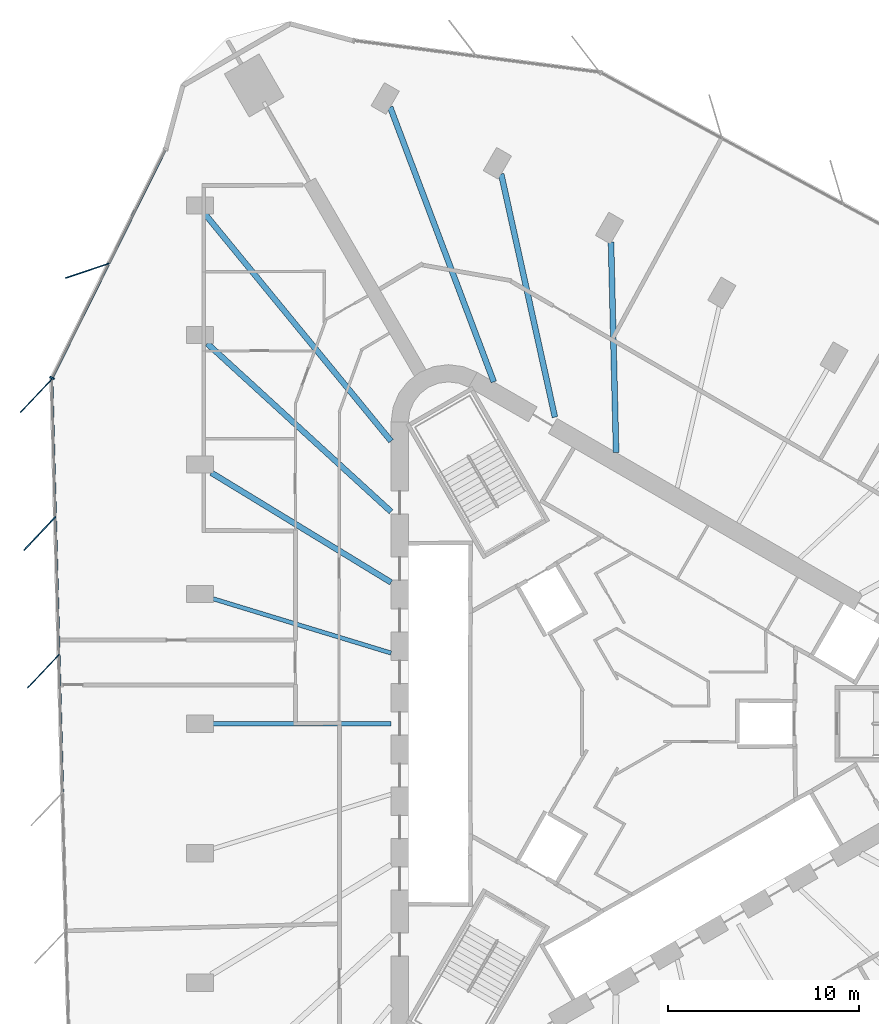
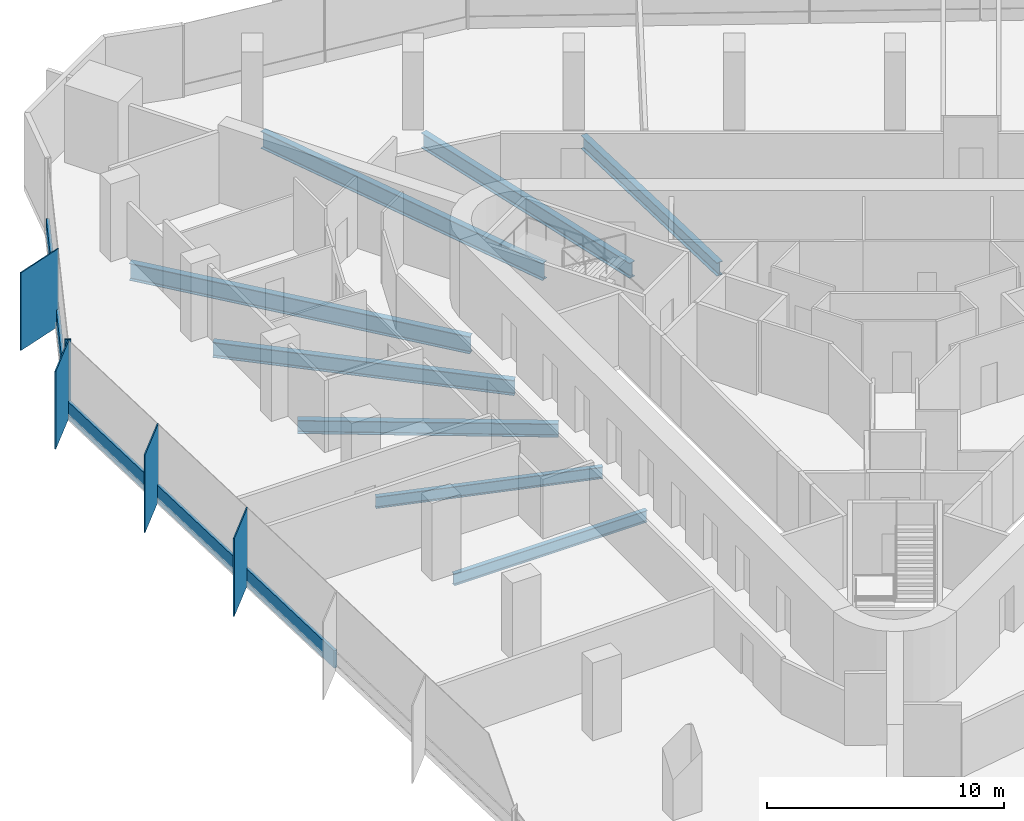
# One storey, part 4 of 14: 10 members, 8 beams, 2 elements without a shape of their own.
"""IFC4 building model written with IfcOpenShell, lengths in metres."""

import ifcopenshell
import ifcopenshell.guid

model = None  # the IFC model being written
_history = None  # IfcOwnerHistory: only IFC2X3 demands one
_inside = {}  # id of a spatial element -> (the spatial element, [elements in it])
_under = {}  # id of a project, library or spatial element -> (it, [spatial elements below it])
_declared = {}  # id of a project -> (the project, [libraries it declares])
_typed = {}  # id of a type object -> (the type object, [elements of that type])
_made_of = {}  # id of a material, layer set ... -> (it, [elements and type objects made of it])


def new_model(schema):
    """Start an empty IFC model of exactly this schema.

    Asked for "IFC4X3", IfcOpenShell would pick the latest addendum, in which some entities
    have other attributes; the version numbers below select the first issue.
    IFC2X3 requires an IfcOwnerHistory on every rooted entity: one is made here for all.
    """
    global model, _history
    if schema == "IFC4X3":
        model = ifcopenshell.file(schema_version=(4, 3, 0, 0))
    else:
        model = ifcopenshell.file(schema=schema)
    _inside.clear()
    _under.clear()
    _declared.clear()
    _typed.clear()
    _made_of.clear()
    _history = None
    if model.schema == "IFC2X3":
        org = make("IfcOrganization", Name="unknown")
        user = make(
            "IfcPersonAndOrganization",
            ThePerson=make("IfcPerson", FamilyName="unknown"),
            TheOrganization=org,
        )
        app = make(
            "IfcApplication",
            ApplicationDeveloper=org,
            Version="unknown",
            ApplicationFullName="unknown",
            ApplicationIdentifier="unknown",
        )
        _history = make(
            "IfcOwnerHistory",
            OwningUser=user,
            OwningApplication=app,
            ChangeAction="ADDED",
            CreationDate=0,
        )
    return model


def make(cls, **values):
    """One entity of the class cls with the attributes given. An attribute that is None is left unset."""
    return model.create_entity(
        cls, **{name: value for name, value in values.items() if value is not None}
    )


def rooted(cls, **values):
    """An entity with a GlobalId (a new one), such as an element, a storey or a relation."""
    return make(cls, GlobalId=ifcopenshell.guid.new(), OwnerHistory=_history, **values)


def si_unit(unit_type, name, prefix=None):
    """IfcSIUnit, for example si_unit("LENGTHUNIT", "METRE", prefix="MILLI")."""
    return make("IfcSIUnit", UnitType=unit_type, Prefix=prefix, Name=name)


def assignment(units):
    """IfcUnitAssignment: the units of a project."""
    return None if units is None else make("IfcUnitAssignment", Units=units)


def point(xyz):
    """IfcCartesianPoint."""
    return None if xyz is None else make("IfcCartesianPoint", Coordinates=xyz)


def direction(xyz):
    """IfcDirection."""
    return None if xyz is None else make("IfcDirection", DirectionRatios=xyz)


def frame(location, z_axis=None, x_axis=None):
    """IfcAxis2Placement3D, a coordinate frame: its origin and axes. An axis left out is left unset."""
    return make(
        "IfcAxis2Placement3D",
        Location=point(location),
        Axis=direction(z_axis),
        RefDirection=direction(x_axis),
    )


def frame_2d(location, x_axis=None):
    """IfcAxis2Placement2D, a coordinate frame in the plane: its origin and x axis."""
    return make(
        "IfcAxis2Placement2D", Location=point(location), RefDirection=direction(x_axis)
    )


def origin():
    """The frame at (0, 0, 0) with its axes left unset."""
    return frame((0.0, 0.0, 0.0))


def origin_2d():
    """The frame at (0, 0) in the plane with its x axis left unset."""
    return frame_2d((0.0, 0.0))


def place(relative_to, where):
    """IfcLocalPlacement: puts the frame where relative to a parent placement (None: the world)."""
    return make(
        "IfcLocalPlacement", PlacementRelTo=relative_to, RelativePlacement=where
    )


def context(
    kind, dimensions, precision=None, world=None, true_north=None, identifier=None
):
    """IfcGeometricRepresentationContext, for example the 3D "Model" context."""
    return make(
        "IfcGeometricRepresentationContext",
        ContextIdentifier=identifier,
        ContextType=kind,
        CoordinateSpaceDimension=dimensions,
        Precision=precision,
        WorldCoordinateSystem=world,
        TrueNorth=true_north,
    )


def subcontext(parent, identifier, kind, view, scale=None):
    """IfcGeometricRepresentationSubContext, for example "Body" below "Model"."""
    return make(
        "IfcGeometricRepresentationSubContext",
        ContextIdentifier=identifier,
        ContextType=kind,
        ParentContext=parent,
        TargetScale=scale,
        TargetView=view,
    )


def project(units=None, contexts=None):
    """IfcProject with its units and contexts."""
    return rooted(
        "IfcProject",
        Name="project",
        RepresentationContexts=contexts,
        UnitsInContext=assignment(units),
    )


def spatial(cls, under=None, at=None, **own):
    """A site, building, storey or space (cls), placed at a placement, below another one or the project."""
    s = rooted(cls, ObjectPlacement=at, **own)
    if under is not None:
        _under.setdefault(under.id(), (under, []))[1].append(s)
    return s


def profile(cls, at=None, kind="AREA", **sizes):
    """A parametric profile (cls). Its sizes go by their IFC names, for example OverallWidth=200.0."""
    return make(cls, ProfileType=kind, Position=at, **sizes)


def rectangle(**sizes):
    """IfcRectangleProfileDef."""
    return profile("IfcRectangleProfileDef", **sizes)


def i_section(**sizes):
    """IfcIShapeProfileDef."""
    return profile("IfcIShapeProfileDef", **sizes)


def extrude(swept, where, along, depth):
    """IfcExtrudedAreaSolid: the profile swept, set in the frame where, extruded along a direction by depth."""
    return make(
        "IfcExtrudedAreaSolid",
        SweptArea=swept,
        Position=where,
        ExtrudedDirection=direction(along),
        Depth=depth,
    )


def shape(context_of_items, identifier, shape_type, items):
    """IfcShapeRepresentation: the items that make up one representation, for example the "Body"."""
    return make(
        "IfcShapeRepresentation",
        ContextOfItems=context_of_items,
        RepresentationIdentifier=identifier,
        RepresentationType=shape_type,
        Items=items,
    )


def material(Name=None, Category=None):
    """IfcMaterial."""
    return make("IfcMaterial", Name=Name, Category=Category)


def material_profile(
    of_material, cross_section, Name=None, Category=None, Priority=None
):
    """IfcMaterialProfile: a cross section and its material."""
    return make(
        "IfcMaterialProfile",
        Name=Name,
        Material=of_material,
        Profile=cross_section,
        Priority=Priority,
        Category=Category,
    )


def profile_set(profiles, Name=None, composite=None):
    """IfcMaterialProfileSet."""
    return make(
        "IfcMaterialProfileSet",
        Name=Name,
        MaterialProfiles=profiles,
        CompositeProfile=composite,
    )


def made_of(thing, what):
    """Note that an element or type object is made of a material, layer set ...; save() writes the relation."""
    if what is not None:
        _made_of.setdefault(what.id(), (what, []))[1].append(thing)
    return thing


def type_object(cls, material=None, **own):
    """A type object (cls), such as IfcWallType, which elements share."""
    return made_of(rooted(cls, **own), material)


def element(
    cls,
    number,
    at=None,
    inside=None,
    cuts=None,
    type_object=None,
    material=None,
    context=None,
    identifier="Body",
    shape_type=None,
    held_by="IfcProductDefinitionShape",
    body=None,
    shapes=None,
    **own,
):
    """One element of the class cls, such as IfcWall. Its Tag is "e" and its number.

    at: its placement. inside: the storey or other place that contains it. cuts: it is an
    opening in that element (IfcRelVoidsElement). A single representation is given by context,
    identifier, shape_type and body (its items); several are given by shapes. held_by: the class
    of the entity that holds the representations. save() writes the other relations.
    """
    e = rooted(cls, Tag="e%d" % number, ObjectPlacement=at, **own)
    if body is not None:
        shapes = [shape(context, identifier, shape_type, body)]
    if shapes is not None:
        e.Representation = make(held_by, Representations=shapes)
    if inside is not None:
        _inside.setdefault(inside.id(), (inside, []))[1].append(e)
    if cuts is not None:
        rooted(
            "IfcRelVoidsElement", RelatingBuildingElement=cuts, RelatedOpeningElement=e
        )
    if type_object is not None:
        _typed.setdefault(type_object.id(), (type_object, []))[1].append(e)
    return made_of(e, material)


def aggregate(whole, parts):
    """IfcRelAggregates: a whole, such as a stair, and the parts it consists of."""
    return rooted("IfcRelAggregates", RelatingObject=whole, RelatedObjects=parts)


def save(model, path):
    """Write the relations noted so far, then the file.

    IfcRelAggregates (storeys below a building ...), IfcRelContainedInSpatialStructure (elements
    in a storey), IfcRelDefinesByType, IfcRelAssociatesMaterial and IfcRelDeclares: one each for
    every whole, place, type object, material and project.
    """
    for whole, parts in _under.values():
        aggregate(whole, parts)
    for where, things in _inside.values():
        rooted(
            "IfcRelContainedInSpatialStructure",
            RelatedElements=things,
            RelatingStructure=where,
        )
    for kind, things in _typed.values():
        rooted("IfcRelDefinesByType", RelatedObjects=things, RelatingType=kind)
    for what, things in _made_of.values():
        rooted("IfcRelAssociatesMaterial", RelatedObjects=things, RelatingMaterial=what)
    for by, libraries in _declared.values():
        rooted("IfcRelDeclares", RelatingContext=by, RelatedDefinitions=libraries)
    model.write(path)


model = new_model("IFC4")

# Units and contexts
model_context = context("Model", 3, precision=1e-05, world=origin(), true_north=direction((0.0, 1.0)))
body_context = subcontext(model_context, "Body", "Model", "MODEL_VIEW")
ifc_project = project(units=[si_unit("LENGTHUNIT", "METRE"), si_unit("AREAUNIT", "SQUARE_METRE"), si_unit("VOLUMEUNIT", "CUBIC_METRE"), si_unit("PLANEANGLEUNIT", "RADIAN"), si_unit("MASSUNIT", "GRAM", prefix="KILO")], contexts=[model_context])

# Site, building, storey
site_placement = place(None, origin())
site = spatial("IfcSite", under=ifc_project, at=site_placement, CompositionType="ELEMENT")
building_placement = place(site_placement, origin())
building = spatial("IfcBuilding", under=site, at=building_placement, Name="Tanit Gate Tower", CompositionType="ELEMENT")
storey_placement = place(building_placement, frame((0.0, 0.0, 217.199951171875)))
storey = spatial("IfcBuildingStorey", under=building, at=storey_placement, Name="L48", CompositionType="ELEMENT", Elevation=217.199951171875)

# Curtain wall, member
ifc_material_1 = material(Name="Aluminium bronze anodised and glass", Category="aluminium")
curtain_wall_type = type_object("IfcCurtainWallType", Name="Curtain wall typical mid", PredefinedType="NOTDEFINED", material=ifc_material_1)
curtain_wall_1_placement = place(storey_placement, origin())
curtain_wall_1 = element("IfcCurtainWall", 1, at=curtain_wall_1_placement, inside=storey, type_object=curtain_wall_type, Name="Curtain wall L48 W1", PredefinedType="NOTDEFINED")
ifc_material_2 = material(Name="Aluminium bronze anodised", Category="aluminium")
ifc_material_profile_1 = material_profile(ifc_material_2, rectangle(XDim=2.39990234375, YDim=0.055908203125, at=origin_2d()), Name="56x2400 bronze fin mullion")
ifc_profile_set_1 = profile_set([ifc_material_profile_1], Name="Aluminium bronze anodised")
member_type_1 = type_object("IfcMemberType", Name="FIN MULLION 56x2400 bronze", PredefinedType="MULLION", material=ifc_profile_set_1)
member_1_placement = place(storey_placement, frame((-27.973876953125, 23.66748046875, -0.300048828125), z_axis=(0.0, 0.0, 1.0), x_axis=(0.947650540599, 0.319309337325, 0.0)))
member_1 = element("IfcMember", 2, at=member_1_placement, type_object=member_type_1, Name="Fin mullion L48 W1.2", PredefinedType="MULLION", context=body_context, shape_type="SweptSolid", body=[
    extrude(rectangle(XDim=2.39990234375, YDim=0.055908203125, at=origin_2d()), origin(), (0.0, 0.0, 1.0), 4.0),
])

# Curtain wall, members
curtain_wall_2_placement = place(storey_placement, origin())
curtain_wall_2 = element("IfcCurtainWall", 3, at=curtain_wall_2_placement, inside=storey, type_object=curtain_wall_type, Name="Curtain wall L48 W2", PredefinedType="NOTDEFINED")
member_2_placement = place(storey_placement, frame((-30.648681640625, 17.137451171875, -0.300048828125), z_axis=(0.0, 0.0, 1.0), x_axis=(0.688437603131, 0.725295571884, 0.0)))
member_2 = element("IfcMember", 4, at=member_2_placement, type_object=member_type_1, Name="Fin mullion L48 W2.1", PredefinedType="MULLION", context=body_context, shape_type="SweptSolid", body=[
    extrude(rectangle(XDim=2.39990234375, YDim=0.055908203125, at=origin_2d()), origin(), (0.0, 0.0, 1.0), 4.0),
])
member_3_placement = place(storey_placement, frame((-30.4609375, 9.940185546875, -0.300048828125), z_axis=(0.0, 0.0, 1.0), x_axis=(0.688437603131, 0.725295571884, 0.0)))
member_3 = element("IfcMember", 5, at=member_3_placement, type_object=member_type_1, Name="Fin mullion L48 W2.2", PredefinedType="MULLION", context=body_context, shape_type="SweptSolid", body=[
    extrude(rectangle(XDim=2.39990234375, YDim=0.055908203125, at=origin_2d()), origin(), (0.0, 0.0, 1.0), 4.0),
])
member_4_placement = place(storey_placement, frame((-30.2734375, 2.7431640625, -0.300048828125), z_axis=(0.0, 0.0, 1.0), x_axis=(0.688437603131, 0.725295571884, 0.0)))
member_4 = element("IfcMember", 6, at=member_4_placement, type_object=member_type_1, Name="Fin mullion L48 W2.3", PredefinedType="MULLION", context=body_context, shape_type="SweptSolid", body=[
    extrude(rectangle(XDim=2.39990234375, YDim=0.055908203125, at=origin_2d()), origin(), (0.0, 0.0, 1.0), 4.0),
])

# Member
ifc_material_3 = material(Name="Aluminium bronze anodised", Category="aluminium")
ifc_material_profile_2 = material_profile(ifc_material_3, rectangle(XDim=0.260009765625, YDim=0.080078125, at=origin_2d()), Name="80x260 bronze mullion")
ifc_profile_set_2 = profile_set([ifc_material_profile_2], Name="Aluminium bronze anodised")
member_type_2 = type_object("IfcMemberType", Name="Mullion 80x260 typical mid", PredefinedType="MULLION", material=ifc_profile_set_2)
member_5_placement = place(storey_placement, frame((-29.8203125, 18.068115234375, -0.300048828125), z_axis=(0.0, 0.0, 1.0), x_axis=(0.895875921171, -0.444304325734, 0.0)))
member_5 = element("IfcMember", 7, at=member_5_placement, type_object=member_type_2, Name="Mullion L48 W1.3", PredefinedType="MULLION", context=body_context, shape_type="SweptSolid", body=[
    extrude(rectangle(XDim=0.260009765625, YDim=0.080078125, at=origin_2d()), origin(), (0.0, 0.0, 1.0), 4.0),
])

# Beams
ifc_material_4 = material(Name="Steel S355", Category="steel")
ifc_material_profile_3 = material_profile(ifc_material_4, i_section(OverallWidth=0.300048828125, OverallDepth=0.68994140625, WebThickness=0.014404296875, FlangeThickness=0.027099609375, FilletRadius=0.027099609375, at=origin_2d()), Name="HEA 700")
ifc_profile_set_3 = profile_set([ifc_material_profile_3], Name="Steel S355")
beam_type_1 = type_object("IfcBeamType", Name="RADIAL GIRDER HEA 700 S355", PredefinedType="BEAM", material=ifc_profile_set_3)
for number, where, z_axis, x_axis, name in (
    (8, (-0.609375, 25.17431640625, -0.64501953125), (0.024202383749, -0.999707079409, 0.0), (0.999707079409, 0.024202383749, 0.0), "RADIAL GIRDER"),
    (9, (-21.4970703125, 13.114990234375, -0.64501953125), (0.853674218832, -0.520807380997, 0.0), (0.520807380997, 0.853674218832, 0.0), "RADIAL GIRDER"),
):
    element("IfcBeam", number, at=place(storey_placement, frame(where, z_axis=z_axis, x_axis=x_axis)), inside=storey, type_object=beam_type_1, Name=name, PredefinedType="BEAM", context=body_context, shape_type="SweptSolid", body=[
        extrude(i_section(OverallWidth=0.300048828125, OverallDepth=0.68994140625, WebThickness=0.014404296875, FlangeThickness=0.027099609375, FilletRadius=0.027099609375, at=origin_2d()), origin(), (0.0, 0.0, 1.0), 11.00537109375),
    ])
ifc_material_5 = material(Name="Steel S355", Category="steel")
ifc_material_profile_4 = material_profile(ifc_material_5, i_section(OverallWidth=0.300048828125, OverallDepth=0.7900390625, WebThickness=0.014892578125, FlangeThickness=0.028076171875, FilletRadius=0.030029296875, at=origin_2d()), Name="HEA 800")
ifc_profile_set_4 = profile_set([ifc_material_profile_4], Name="Steel S355")
beam_type_2 = type_object("IfcBeamType", Name="RADIAL GIRDER HEA 800 S355", PredefinedType="BEAM", material=ifc_profile_set_4)
for number, where, z_axis, x_axis, name in (
    (10, (-6.349365234375, 28.728759765625, -0.695068359375), (0.21581230457, -0.976434866848, 0.0), (0.976434866848, 0.21581230457, 0.0), "RADIAL GIRDER"),
    (11, (-21.705322265625, 19.86279296875, -0.695068359375), (0.737724522126, -0.675101865983, 0.0), (0.675101865983, 0.737724522126, 0.0), "RADIAL GIRDER"),
):
    element("IfcBeam", number, at=place(storey_placement, frame(where, z_axis=z_axis, x_axis=x_axis)), inside=storey, type_object=beam_type_2, Name=name, PredefinedType="BEAM", context=body_context, shape_type="SweptSolid", body=[
        extrude(i_section(OverallWidth=0.300048828125, OverallDepth=0.7900390625, WebThickness=0.014892578125, FlangeThickness=0.028076171875, FilletRadius=0.030029296875, at=origin_2d()), origin(), (0.0, 0.0, 1.0), 13.017333984375),
    ])
ifc_material_6 = material(Name="Steel S355", Category="steel")
ifc_material_profile_5 = material_profile(ifc_material_6, i_section(OverallWidth=0.300048828125, OverallDepth=0.889892578125, WebThickness=0.01611328125, FlangeThickness=0.030029296875, FilletRadius=0.030029296875, at=origin_2d()), Name="HEA 900")
ifc_profile_set_5 = profile_set([ifc_material_profile_5], Name="Steel S355")
beam_type_3 = type_object("IfcBeamType", Name="RADIAL GIRDER HEA 900 S355", PredefinedType="BEAM", material=ifc_profile_set_5)
beam_1_placement = place(storey_placement, frame((-12.151611328125, 32.220703125, -0.744873046875), z_axis=(0.352876972664, -0.935669729212, 0.0), x_axis=(0.935669729212, 0.352876972664, 0.0)))
element("IfcBeam", 12, at=beam_1_placement, inside=storey, type_object=beam_type_3, Name="RADIAL GIRDER", PredefinedType="BEAM", context=body_context, shape_type="SweptSolid", body=[
    extrude(i_section(OverallWidth=0.300048828125, OverallDepth=0.889892578125, WebThickness=0.01611328125, FlangeThickness=0.030029296875, FilletRadius=0.030029296875, at=origin_2d()), origin(), (0.0, 0.0, 1.0), 15.343994140625),
])
beam_2_placement = place(storey_placement, frame((-21.828125, 26.6337890625, -0.744873046875), z_axis=(0.633876155271, -0.77343456076, 0.0), x_axis=(0.77343456076, 0.633876155271, 0.0)))
element("IfcBeam", 13, at=beam_2_placement, inside=storey, type_object=beam_type_3, Name="RADIAL GIRDER", PredefinedType="BEAM", context=body_context, shape_type="SweptSolid", body=[
    extrude(i_section(OverallWidth=0.300048828125, OverallDepth=0.889892578125, WebThickness=0.01611328125, FlangeThickness=0.030029296875, FilletRadius=0.030029296875, at=origin_2d()), origin(), (0.0, 0.0, 1.0), 15.34375),
])
ifc_material_7 = material(Name="Steel S355", Category="steel")
ifc_material_profile_6 = material_profile(ifc_material_7, i_section(OverallWidth=0.219970703125, OverallDepth=0.60009765625, WebThickness=0.011962890625, FlangeThickness=0.01904296875, FilletRadius=0.02392578125, at=origin_2d()), Name="IPE 600")
ifc_profile_set_6 = profile_set([ifc_material_profile_6], Name="Steel S355")
beam_type_4 = type_object("IfcBeamType", Name="RADIAL GIRDER IPE 600 S355", PredefinedType="BEAM", material=ifc_profile_set_6)
beam_3_placement = place(storey_placement, frame((-21.4970703125, 6.5576171875, -0.599853515625), z_axis=(0.956486148302, -0.291777737511, 0.0), x_axis=(0.291777737511, 0.956486148302, 0.0)))
element("IfcBeam", 14, at=beam_3_placement, inside=storey, type_object=beam_type_4, Name="RADIAL GIRDER", PredefinedType="BEAM", context=body_context, shape_type="SweptSolid", body=[
    extrude(i_section(OverallWidth=0.219970703125, OverallDepth=0.60009765625, WebThickness=0.011962890625, FlangeThickness=0.01904296875, FilletRadius=0.02392578125, at=origin_2d()), origin(), (0.0, 0.0, 1.0), 9.822509765625),
])
beam_4_placement = place(storey_placement, frame((-21.4970703125, 0.0, -0.599853515625), z_axis=(1.0, 0.0, 0.0), x_axis=(0.0, 1.0, 0.0)))
element("IfcBeam", 15, at=beam_4_placement, inside=storey, type_object=beam_type_4, Name="RADIAL GIRDER", PredefinedType="BEAM", context=body_context, shape_type="SweptSolid", body=[
    extrude(i_section(OverallWidth=0.219970703125, OverallDepth=0.60009765625, WebThickness=0.011962890625, FlangeThickness=0.01904296875, FilletRadius=0.02392578125, at=origin_2d()), origin(), (0.0, 0.0, 1.0), 9.39501953125),
])

# Member
ifc_material_8 = material(Name="Aluminium bronze anodised", Category="aluminium")
ifc_material_profile_7 = material_profile(ifc_material_8, rectangle(XDim=0.139892578125, YDim=0.89990234375, at=origin_2d()), Name="140x900 bronze transom")
ifc_profile_set_7 = profile_set([ifc_material_profile_7], Name="Aluminium bronze anodised")
member_type_3 = type_object("IfcMemberType", Name="Transom 140x900 typical mid", PredefinedType="USERDEFINED", material=ifc_profile_set_7)
member_6_placement = place(storey_placement, frame((-23.910888671875, 29.98388671875, 0.150146484375), z_axis=(-0.444291993264, -0.89588203728, 0.0), x_axis=(0.89588203728, -0.444291993264, 0.0)))
member_6 = element("IfcMember", 16, at=member_6_placement, type_object=member_type_3, Name="Transom L48 W1.1", ObjectType="TRANSOM", PredefinedType="USERDEFINED", context=body_context, shape_type="SweptSolid", body=[
    extrude(rectangle(XDim=0.139892578125, YDim=0.89990234375, at=origin_2d()), origin(), (0.0, 0.0, 1.0), 6.59033203125),
])

member_7_placement = place(storey_placement, frame((-26.87451171875, 24.008056640625, 0.150146484375), z_axis=(-0.444321725775, -0.895867291514, 0.0), x_axis=(0.895867291514, -0.444321725775, 0.0)))
member_7 = element("IfcMember", 17, at=member_7_placement, type_object=member_type_3, Name="Transom L48 W1.2", ObjectType="TRANSOM", PredefinedType="USERDEFINED", context=body_context, shape_type="SweptSolid", body=[
    extrude(rectangle(XDim=0.139892578125, YDim=0.89990234375, at=origin_2d()), origin(), (0.0, 0.0, 1.0), 6.59033203125),
])

aggregate(curtain_wall_1, [member_1, member_5, member_6, member_7])

member_8_placement = place(storey_placement, frame((-29.836181640625, 17.952392578125, 0.150146484375), z_axis=(0.026061397555, -0.999660344096, 0.0), x_axis=(0.999660344096, 0.026061397555, 0.0)))
member_8 = element("IfcMember", 18, at=member_8_placement, type_object=member_type_3, Name="Transom L48 W2.1", ObjectType="TRANSOM", PredefinedType="USERDEFINED", context=body_context, shape_type="SweptSolid", body=[
    extrude(rectangle(XDim=0.139892578125, YDim=0.89990234375, at=origin_2d()), origin(), (0.0, 0.0, 1.0), 7.11962890625),
])

member_9_placement = place(storey_placement, frame((-29.6484375, 10.755126953125, 0.150146484375), z_axis=(0.026061397555, -0.999660344096, 0.0), x_axis=(0.999660344096, 0.026061397555, 0.0)))
member_9 = element("IfcMember", 19, at=member_9_placement, type_object=member_type_3, Name="Transom L48 W2.2", ObjectType="TRANSOM", PredefinedType="USERDEFINED", context=body_context, shape_type="SweptSolid", body=[
    extrude(rectangle(XDim=0.139892578125, YDim=0.89990234375, at=origin_2d()), origin(), (0.0, 0.0, 1.0), 7.11962890625),
])

member_10_placement = place(storey_placement, frame((-29.460693359375, 3.55810546875, 0.150146484375), z_axis=(0.026061397555, -0.999660344096, 0.0), x_axis=(0.999660344096, 0.026061397555, 0.0)))
member_10 = element("IfcMember", 20, at=member_10_placement, type_object=member_type_3, Name="Transom L48 W2.3", ObjectType="TRANSOM", PredefinedType="USERDEFINED", context=body_context, shape_type="SweptSolid", body=[
    extrude(rectangle(XDim=0.139892578125, YDim=0.89990234375, at=origin_2d()), origin(), (0.0, 0.0, 1.0), 7.11962890625),
])

aggregate(curtain_wall_2, [member_2, member_3, member_4, member_8, member_9, member_10])

save(model, "model.ifc")
